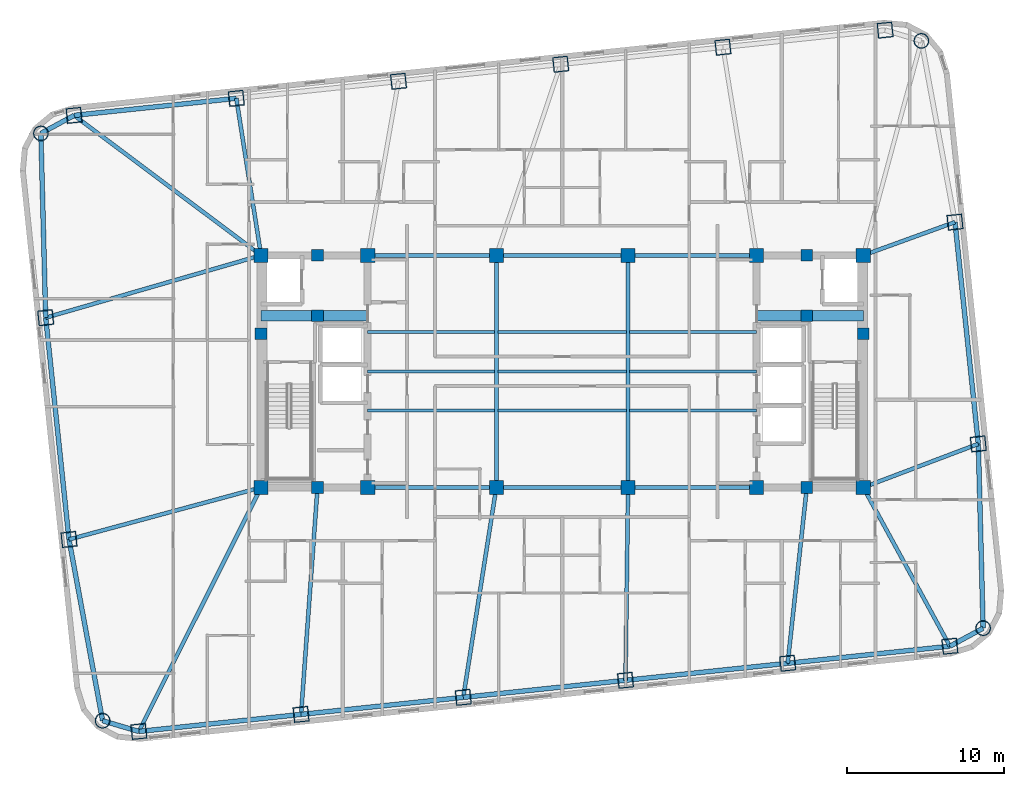
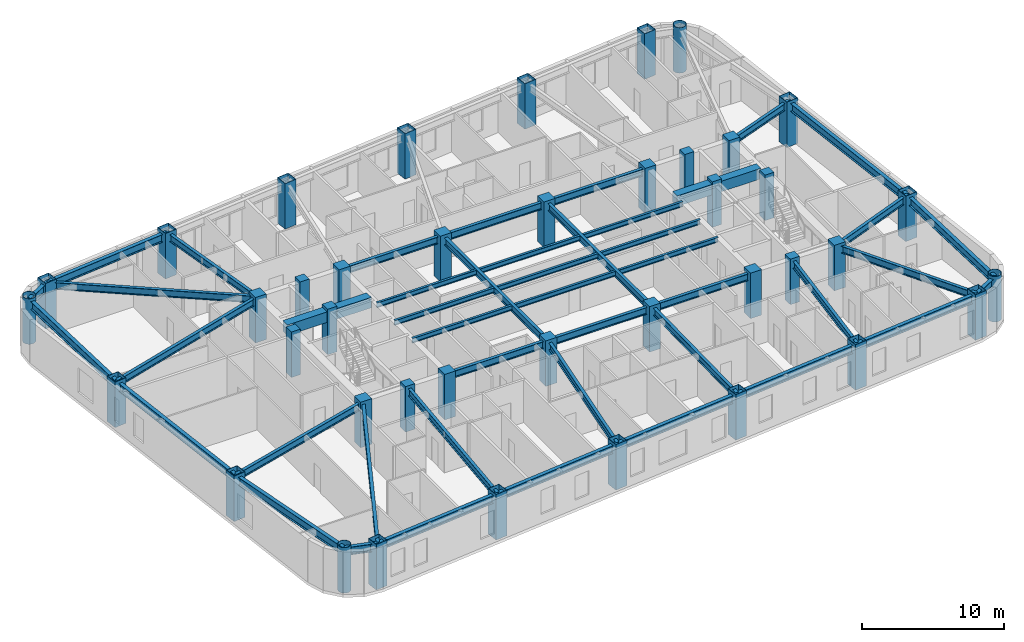
# One storey, part 1 of 11: 45 beams, 40 columns.
"""IFC4 building model written with IfcOpenShell, lengths in metres."""

import ifcopenshell
import ifcopenshell.guid

model = None  # the IFC model being written
_history = None  # IfcOwnerHistory: only IFC2X3 demands one
_inside = {}  # id of a spatial element -> (the spatial element, [elements in it])
_under = {}  # id of a project, library or spatial element -> (it, [spatial elements below it])
_declared = {}  # id of a project -> (the project, [libraries it declares])
_typed = {}  # id of a type object -> (the type object, [elements of that type])
_made_of = {}  # id of a material, layer set ... -> (it, [elements and type objects made of it])


def new_model(schema):
    """Start an empty IFC model of exactly this schema.

    Asked for "IFC4X3", IfcOpenShell would pick the latest addendum, in which some entities
    have other attributes; the version numbers below select the first issue.
    IFC2X3 requires an IfcOwnerHistory on every rooted entity: one is made here for all.
    """
    global model, _history
    if schema == "IFC4X3":
        model = ifcopenshell.file(schema_version=(4, 3, 0, 0))
    else:
        model = ifcopenshell.file(schema=schema)
    _inside.clear()
    _under.clear()
    _declared.clear()
    _typed.clear()
    _made_of.clear()
    _history = None
    if model.schema == "IFC2X3":
        org = make("IfcOrganization", Name="unknown")
        user = make(
            "IfcPersonAndOrganization",
            ThePerson=make("IfcPerson", FamilyName="unknown"),
            TheOrganization=org,
        )
        app = make(
            "IfcApplication",
            ApplicationDeveloper=org,
            Version="unknown",
            ApplicationFullName="unknown",
            ApplicationIdentifier="unknown",
        )
        _history = make(
            "IfcOwnerHistory",
            OwningUser=user,
            OwningApplication=app,
            ChangeAction="ADDED",
            CreationDate=0,
        )
    return model


def make(cls, **values):
    """One entity of the class cls with the attributes given. An attribute that is None is left unset."""
    return model.create_entity(
        cls, **{name: value for name, value in values.items() if value is not None}
    )


def rooted(cls, **values):
    """An entity with a GlobalId (a new one), such as an element, a storey or a relation."""
    return make(cls, GlobalId=ifcopenshell.guid.new(), OwnerHistory=_history, **values)


def si_unit(unit_type, name, prefix=None):
    """IfcSIUnit, for example si_unit("LENGTHUNIT", "METRE", prefix="MILLI")."""
    return make("IfcSIUnit", UnitType=unit_type, Prefix=prefix, Name=name)


def assignment(units):
    """IfcUnitAssignment: the units of a project."""
    return None if units is None else make("IfcUnitAssignment", Units=units)


def point(xyz):
    """IfcCartesianPoint."""
    return None if xyz is None else make("IfcCartesianPoint", Coordinates=xyz)


def direction(xyz):
    """IfcDirection."""
    return None if xyz is None else make("IfcDirection", DirectionRatios=xyz)


def frame(location, z_axis=None, x_axis=None):
    """IfcAxis2Placement3D, a coordinate frame: its origin and axes. An axis left out is left unset."""
    return make(
        "IfcAxis2Placement3D",
        Location=point(location),
        Axis=direction(z_axis),
        RefDirection=direction(x_axis),
    )


def frame_2d(location, x_axis=None):
    """IfcAxis2Placement2D, a coordinate frame in the plane: its origin and x axis."""
    return make(
        "IfcAxis2Placement2D", Location=point(location), RefDirection=direction(x_axis)
    )


def origin():
    """The frame at (0, 0, 0) with its axes left unset."""
    return frame((0.0, 0.0, 0.0))


def origin_2d():
    """The frame at (0, 0) in the plane with its x axis left unset."""
    return frame_2d((0.0, 0.0))


def place(relative_to, where):
    """IfcLocalPlacement: puts the frame where relative to a parent placement (None: the world)."""
    return make(
        "IfcLocalPlacement", PlacementRelTo=relative_to, RelativePlacement=where
    )


def context(
    kind, dimensions, precision=None, world=None, true_north=None, identifier=None
):
    """IfcGeometricRepresentationContext, for example the 3D "Model" context."""
    return make(
        "IfcGeometricRepresentationContext",
        ContextIdentifier=identifier,
        ContextType=kind,
        CoordinateSpaceDimension=dimensions,
        Precision=precision,
        WorldCoordinateSystem=world,
        TrueNorth=true_north,
    )


def subcontext(parent, identifier, kind, view, scale=None):
    """IfcGeometricRepresentationSubContext, for example "Body" below "Model"."""
    return make(
        "IfcGeometricRepresentationSubContext",
        ContextIdentifier=identifier,
        ContextType=kind,
        ParentContext=parent,
        TargetScale=scale,
        TargetView=view,
    )


def project(units=None, contexts=None):
    """IfcProject with its units and contexts."""
    return rooted(
        "IfcProject",
        Name="project",
        RepresentationContexts=contexts,
        UnitsInContext=assignment(units),
    )


def spatial(cls, under=None, at=None, **own):
    """A site, building, storey or space (cls), placed at a placement, below another one or the project."""
    s = rooted(cls, ObjectPlacement=at, **own)
    if under is not None:
        _under.setdefault(under.id(), (under, []))[1].append(s)
    return s


def profile(cls, at=None, kind="AREA", **sizes):
    """A parametric profile (cls). Its sizes go by their IFC names, for example OverallWidth=200.0."""
    return make(cls, ProfileType=kind, Position=at, **sizes)


def rectangle(**sizes):
    """IfcRectangleProfileDef."""
    return profile("IfcRectangleProfileDef", **sizes)


def hollow_rectangle(**sizes):
    """IfcRectangleHollowProfileDef."""
    return profile("IfcRectangleHollowProfileDef", **sizes)


def hollow_circle(**sizes):
    """IfcCircleHollowProfileDef."""
    return profile("IfcCircleHollowProfileDef", **sizes)


def i_section(**sizes):
    """IfcIShapeProfileDef."""
    return profile("IfcIShapeProfileDef", **sizes)


def extrude(swept, where, along, depth):
    """IfcExtrudedAreaSolid: the profile swept, set in the frame where, extruded along a direction by depth."""
    return make(
        "IfcExtrudedAreaSolid",
        SweptArea=swept,
        Position=where,
        ExtrudedDirection=direction(along),
        Depth=depth,
    )


def shape(context_of_items, identifier, shape_type, items):
    """IfcShapeRepresentation: the items that make up one representation, for example the "Body"."""
    return make(
        "IfcShapeRepresentation",
        ContextOfItems=context_of_items,
        RepresentationIdentifier=identifier,
        RepresentationType=shape_type,
        Items=items,
    )


def material(Name=None, Category=None):
    """IfcMaterial."""
    return make("IfcMaterial", Name=Name, Category=Category)


def material_profile(
    of_material, cross_section, Name=None, Category=None, Priority=None
):
    """IfcMaterialProfile: a cross section and its material."""
    return make(
        "IfcMaterialProfile",
        Name=Name,
        Material=of_material,
        Profile=cross_section,
        Priority=Priority,
        Category=Category,
    )


def profile_set(profiles, Name=None, composite=None):
    """IfcMaterialProfileSet."""
    return make(
        "IfcMaterialProfileSet",
        Name=Name,
        MaterialProfiles=profiles,
        CompositeProfile=composite,
    )


def made_of(thing, what):
    """Note that an element or type object is made of a material, layer set ...; save() writes the relation."""
    if what is not None:
        _made_of.setdefault(what.id(), (what, []))[1].append(thing)
    return thing


def type_object(cls, material=None, **own):
    """A type object (cls), such as IfcWallType, which elements share."""
    return made_of(rooted(cls, **own), material)


def element(
    cls,
    number,
    at=None,
    inside=None,
    cuts=None,
    type_object=None,
    material=None,
    context=None,
    identifier="Body",
    shape_type=None,
    held_by="IfcProductDefinitionShape",
    body=None,
    shapes=None,
    **own,
):
    """One element of the class cls, such as IfcWall. Its Tag is "e" and its number.

    at: its placement. inside: the storey or other place that contains it. cuts: it is an
    opening in that element (IfcRelVoidsElement). A single representation is given by context,
    identifier, shape_type and body (its items); several are given by shapes. held_by: the class
    of the entity that holds the representations. save() writes the other relations.
    """
    e = rooted(cls, Tag="e%d" % number, ObjectPlacement=at, **own)
    if body is not None:
        shapes = [shape(context, identifier, shape_type, body)]
    if shapes is not None:
        e.Representation = make(held_by, Representations=shapes)
    if inside is not None:
        _inside.setdefault(inside.id(), (inside, []))[1].append(e)
    if cuts is not None:
        rooted(
            "IfcRelVoidsElement", RelatingBuildingElement=cuts, RelatedOpeningElement=e
        )
    if type_object is not None:
        _typed.setdefault(type_object.id(), (type_object, []))[1].append(e)
    return made_of(e, material)


def aggregate(whole, parts):
    """IfcRelAggregates: a whole, such as a stair, and the parts it consists of."""
    return rooted("IfcRelAggregates", RelatingObject=whole, RelatedObjects=parts)


def save(model, path):
    """Write the relations noted so far, then the file.

    IfcRelAggregates (storeys below a building ...), IfcRelContainedInSpatialStructure (elements
    in a storey), IfcRelDefinesByType, IfcRelAssociatesMaterial and IfcRelDeclares: one each for
    every whole, place, type object, material and project.
    """
    for whole, parts in _under.values():
        aggregate(whole, parts)
    for where, things in _inside.values():
        rooted(
            "IfcRelContainedInSpatialStructure",
            RelatedElements=things,
            RelatingStructure=where,
        )
    for kind, things in _typed.values():
        rooted("IfcRelDefinesByType", RelatedObjects=things, RelatingType=kind)
    for what, things in _made_of.values():
        rooted("IfcRelAssociatesMaterial", RelatedObjects=things, RelatingMaterial=what)
    for by, libraries in _declared.values():
        rooted("IfcRelDeclares", RelatingContext=by, RelatedDefinitions=libraries)
    model.write(path)


model = new_model("IFC4")

# Units and contexts
model_context = context("Model", 3, precision=1e-05, world=origin(), true_north=direction((0.0, 1.0)))
body_context = subcontext(model_context, "Body", "Model", "MODEL_VIEW")
ifc_project = project(units=[si_unit("LENGTHUNIT", "METRE"), si_unit("AREAUNIT", "SQUARE_METRE"), si_unit("VOLUMEUNIT", "CUBIC_METRE"), si_unit("PLANEANGLEUNIT", "RADIAN"), si_unit("MASSUNIT", "GRAM", prefix="KILO")], contexts=[model_context])

# Site, building, storey
site_placement = place(None, origin())
site = spatial("IfcSite", under=ifc_project, at=site_placement, CompositionType="ELEMENT")
building_placement = place(site_placement, origin())
building = spatial("IfcBuilding", under=site, at=building_placement, Name="Voryun Gate Residences", CompositionType="ELEMENT")
storey_placement = place(building_placement, frame((0.0, 0.0, 175.5)))
storey = spatial("IfcBuildingStorey", under=building, at=storey_placement, Name="L43", CompositionType="ELEMENT", Elevation=175.5)

# Columns
ifc_material_1 = material(Name="Concrete C50/60", Category="concrete")
ifc_material_profile_1 = material_profile(ifc_material_1, rectangle(XDim=0.75, YDim=0.75, at=origin_2d()), Name="RC-750x750")
ifc_profile_set_1 = profile_set([ifc_material_profile_1], Name="Concrete C50/60")
column_type_1 = type_object("IfcColumnType", Name="COL_CORE_750", PredefinedType="COLUMN", material=ifc_profile_set_1)
for number, where, z_axis, x_axis, name in (
    (1, (-19.199951171875, 2.39990234375, 0.0), (0.0, 0.0, 1.0), (1.0, 0.0, 0.0), "L43 Core boundary column WC-MW"),
    (2, (-15.60009765625, -7.39990234375, 0.0), (0.0, 0.0, 1.0), (1.0, 0.0, 0.0), "L43 Core boundary column WC-SM"),
    (3, (-15.60009765625, 7.39990234375, 0.0), (0.0, 0.0, 1.0), (1.0, 0.0, 0.0), "L43 Core boundary column WC-NM"),
    (4, (-15.60009765625, 3.550048828125, 0.0), (0.0, 0.0, 1.0), (1.0, 0.0, 0.0), "L43 Core boundary column WC-MM"),
    (5, (15.60009765625, 3.550048828125, 0.0), (0.0, 0.0, 1.0), (1.0, 0.0, 0.0), "L43 Core boundary column EC-MM"),
    (6, (15.60009765625, -7.39990234375, 0.0), (0.0, 0.0, 1.0), (1.0, 0.0, 0.0), "L43 Core boundary column EC-SM"),
    (7, (15.60009765625, 7.39990234375, 0.0), (0.0, 0.0, 1.0), (1.0, 0.0, 0.0), "L43 Core boundary column EC-NM"),
    (8, (19.199951171875, 2.39990234375, 0.0), (0.0, 0.0, 1.0), (1.0, 0.0, 0.0), "L43 Core boundary column EC-ME"),
):
    element("IfcColumn", number, at=place(storey_placement, frame(where, z_axis=z_axis, x_axis=x_axis)), inside=storey, type_object=column_type_1, Name=name, PredefinedType="COLUMN", context=body_context, shape_type="SweptSolid", body=[
        extrude(rectangle(XDim=0.75, YDim=0.75, at=origin_2d()), origin(), (0.0, 0.0, 1.0), 3.89990234375),
    ])
ifc_material_2 = material(Name="Concrete C50/60", Category="concrete")
ifc_material_profile_2 = material_profile(ifc_material_2, rectangle(XDim=0.89990234375, YDim=0.89990234375, at=origin_2d()), Name="RC-900x900")
ifc_profile_set_2 = profile_set([ifc_material_profile_2], Name="Concrete C50/60")
column_type_2 = type_object("IfcColumnType", Name="COL_CORE_900", PredefinedType="COLUMN", material=ifc_profile_set_2)
for number, where, z_axis, x_axis, name in (
    (9, (-19.199951171875, -7.39990234375, 0.0), (0.0, 0.0, 1.0), (1.0, 0.0, 0.0), "L43 Core boundary column WC-SW"),
    (10, (-19.199951171875, 7.39990234375, 0.0), (0.0, 0.0, 1.0), (1.0, 0.0, 0.0), "L43 Core boundary column WC-NW"),
    (11, (-12.39990234375, -7.39990234375, 0.0), (0.0, 0.0, 1.0), (1.0, 0.0, 0.0), "L43 Core boundary column WC-SE"),
    (12, (-12.39990234375, 7.39990234375, 0.0), (0.0, 0.0, 1.0), (1.0, 0.0, 0.0), "L43 Core boundary column WC-NE"),
    (13, (12.39990234375, -7.39990234375, 0.0), (0.0, 0.0, 1.0), (1.0, 0.0, 0.0), "L43 Core boundary column EC-SW"),
    (14, (12.39990234375, 7.39990234375, 0.0), (0.0, 0.0, 1.0), (1.0, 0.0, 0.0), "L43 Core boundary column EC-NW"),
    (15, (19.199951171875, -7.39990234375, 0.0), (0.0, 0.0, 1.0), (1.0, 0.0, 0.0), "L43 Core boundary column EC-SE"),
    (16, (19.199951171875, 7.39990234375, 0.0), (0.0, 0.0, 1.0), (1.0, 0.0, 0.0), "L43 Core boundary column EC-NE"),
    (17, (-4.199951171875, -7.39990234375, 0.0), (0.0, 0.0, 1.0), (1.0, 0.0, 0.0), "L43 Interior spine column SP-WS"),
    (18, (-4.199951171875, 7.39990234375, 0.0), (0.0, 0.0, 1.0), (1.0, 0.0, 0.0), "L43 Interior spine column SP-WN"),
    (19, (4.199951171875, -7.39990234375, 0.0), (0.0, 0.0, 1.0), (1.0, 0.0, 0.0), "L43 Interior spine column SP-ES"),
    (20, (4.199951171875, 7.39990234375, 0.0), (0.0, 0.0, 1.0), (1.0, 0.0, 0.0), "L43 Interior spine column SP-EN"),
):
    element("IfcColumn", number, at=place(storey_placement, frame(where, z_axis=z_axis, x_axis=x_axis)), inside=storey, type_object=column_type_2, Name=name, PredefinedType="COLUMN", context=body_context, shape_type="SweptSolid", body=[
        extrude(rectangle(XDim=0.89990234375, YDim=0.89990234375, at=origin_2d()), origin(), (0.0, 0.0, 1.0), 3.89990234375),
    ])
ifc_material_3 = material(Name="Steel SM420", Category="steel")
ifc_material_profile_3 = material_profile(ifc_material_3, hollow_circle(Radius=0.47509765625, WallThickness=0.031982421875, at=origin_2d()), Name="CHS-950x32")
ifc_profile_set_3 = profile_set([ifc_material_profile_3], Name="Steel SM420")
column_type_3 = type_object("IfcColumnType", Name="COL_CRN_950", PredefinedType="COLUMN", material=ifc_profile_set_3)
for number, where, z_axis, x_axis, name in (
    (21, (26.8408203125, -16.373779296875, 0.0), (0.0, 0.0, 1.0), (0.994521895368, 0.104528463268, 0.0), "L43 Exoskeleton column CSE"),
    (22, (22.90478515625, 21.07470703125, 0.0), (0.0, 0.0, 1.0), (0.994521895368, 0.104528463268, 0.0), "L43 Exoskeleton column CNE"),
    (23, (-33.24072265625, 15.173583984375, 0.0), (0.0, 0.0, 1.0), (0.994521895368, 0.104528463268, 0.0), "L43 Exoskeleton column CNW"),
    (24, (-29.3046875, -22.27490234375, 0.0), (0.0, 0.0, 1.0), (0.994521895368, 0.104528463268, 0.0), "L43 Exoskeleton column CSW"),
):
    element("IfcColumn", number, at=place(storey_placement, frame(where, z_axis=z_axis, x_axis=x_axis)), inside=storey, type_object=column_type_3, Name=name, PredefinedType="COLUMN", context=body_context, shape_type="SweptSolid", body=[
        extrude(hollow_circle(Radius=0.47509765625, WallThickness=0.031982421875, at=origin_2d()), origin(), (0.0, 0.0, 1.0), 3.89990234375),
    ])
ifc_material_4 = material(Name="Steel SM420", Category="steel")
ifc_material_profile_4 = material_profile(ifc_material_4, hollow_rectangle(XDim=0.949951171875, YDim=0.949951171875, WallThickness=0.031982421875, at=origin_2d()), Name="BOX-950x950x32")
ifc_profile_set_4 = profile_set([ifc_material_profile_4], Name="Steel SM420")
column_type_4 = type_object("IfcColumnType", Name="COL_EXO_B3", PredefinedType="COLUMN", material=ifc_profile_set_4)
for number, where, z_axis, x_axis, name in (
    (25, (-26.9931640625, -22.95947265625, 0.0), (0.0, 0.0, 1.0), (0.994521895368, 0.104528463268, 0.0), "L43 Exoskeleton column S1"),
    (26, (-16.650146484375, -21.87255859375, 0.0), (0.0, 0.0, 1.0), (0.994521895368, 0.104528463268, 0.0), "L43 Exoskeleton column S2"),
    (27, (-6.30712890625, -20.785400390625, 0.0), (0.0, 0.0, 1.0), (0.994521895368, 0.104528463268, 0.0), "L43 Exoskeleton column S3"),
    (28, (4.035888671875, -19.6982421875, 0.0), (0.0, 0.0, 1.0), (0.994521895368, 0.104528463268, 0.0), "L43 Exoskeleton column S4"),
    (29, (14.37890625, -18.611083984375, 0.0), (0.0, 0.0, 1.0), (0.994521895368, 0.104528463268, 0.0), "L43 Exoskeleton column S5"),
    (30, (24.721923828125, -17.524169921875, 0.0), (0.0, 0.0, 1.0), (0.994521895368, 0.104528463268, 0.0), "L43 Exoskeleton column S6"),
    (31, (26.533447265625, -4.6240234375, 0.0), (0.0, 0.0, 1.0), (0.994521895368, 0.104528463268, 0.0), "L43 Exoskeleton column E1"),
    (32, (25.047119140625, 9.51806640625, 0.0), (0.0, 0.0, 1.0), (0.994521895368, 0.104528463268, 0.0), "L43 Exoskeleton column E2"),
    (33, (20.593017578125, 21.759521484375, 0.0), (0.0, 0.0, 1.0), (0.994521895368, 0.104528463268, 0.0), "L43 Exoskeleton column N1"),
    (34, (10.25, 20.67236328125, 0.0), (0.0, 0.0, 1.0), (0.994521895368, 0.104528463268, 0.0), "L43 Exoskeleton column N2"),
    (35, (-0.093017578125, 19.58544921875, 0.0), (0.0, 0.0, 1.0), (0.994521895368, 0.104528463268, 0.0), "L43 Exoskeleton column N3"),
    (36, (-10.43603515625, 18.498291015625, 0.0), (0.0, 0.0, 1.0), (0.994521895368, 0.104528463268, 0.0), "L43 Exoskeleton column N4"),
    (37, (-20.779052734375, 17.4111328125, 0.0), (0.0, 0.0, 1.0), (0.994521895368, 0.104528463268, 0.0), "L43 Exoskeleton column N5"),
    (38, (-31.1220703125, 16.323974609375, 0.0), (0.0, 0.0, 1.0), (0.994521895368, 0.104528463268, 0.0), "L43 Exoskeleton column N6"),
    (39, (-32.93359375, 3.424072265625, 0.0), (0.0, 0.0, 1.0), (0.994521895368, 0.104528463268, 0.0), "L43 Exoskeleton column W1"),
    (40, (-31.447021484375, -10.718017578125, 0.0), (0.0, 0.0, 1.0), (0.994521895368, 0.104528463268, 0.0), "L43 Exoskeleton column W2"),
):
    element("IfcColumn", number, at=place(storey_placement, frame(where, z_axis=z_axis, x_axis=x_axis)), inside=storey, type_object=column_type_4, Name=name, PredefinedType="COLUMN", context=body_context, shape_type="SweptSolid", body=[
        extrude(hollow_rectangle(XDim=0.949951171875, YDim=0.949951171875, WallThickness=0.031982421875, at=origin_2d()), origin(), (0.0, 0.0, 1.0), 3.89990234375),
    ])

# Beams
ifc_material_5 = material(Name="Concrete C60/75", Category="concrete")
ifc_material_profile_5 = material_profile(ifc_material_5, rectangle(XDim=0.64990234375, YDim=0.89990234375, at=origin_2d()), Name="RC-650x900")
ifc_profile_set_5 = profile_set([ifc_material_profile_5], Name="Concrete C60/75")
beam_type_1 = type_object("IfcBeamType", Name="BM_COUP_RC900", PredefinedType="LINTEL", material=ifc_profile_set_5)
for number, where, z_axis, x_axis, name in (
    (41, (-19.199951171875, 3.550048828125, 3.199951171875), (1.0, 0.0, 0.0), (0.0, 1.0, 0.0), "BM-L43-WC1"),
    (42, (12.39990234375, 3.550048828125, 3.199951171875), (1.0, 0.0, 0.0), (0.0, 1.0, 0.0), "BM-L43-EC1"),
):
    element("IfcBeam", number, at=place(storey_placement, frame(where, z_axis=z_axis, x_axis=x_axis)), inside=storey, type_object=beam_type_1, Name=name, PredefinedType="LINTEL", context=body_context, shape_type="SweptSolid", body=[
        extrude(rectangle(XDim=0.64990234375, YDim=0.89990234375, at=origin_2d()), origin(), (0.0, 0.0, 1.0), 6.800048828125),
    ])
ifc_material_6 = material(Name="Steel SM355", Category="steel")
ifc_material_profile_6 = material_profile(ifc_material_6, i_section(OverallWidth=0.300048828125, OverallDepth=0.679931640625, WebThickness=0.013916015625, FlangeThickness=0.02490234375, FilletRadius=0.01806640625, at=origin_2d()), Name="H-680x300x14x25")
ifc_profile_set_6 = profile_set([ifc_material_profile_6], Name="Steel SM355")
beam_type_2 = type_object("IfcBeamType", Name="BM_EXO_SPANDREL_M", PredefinedType="SPANDREL", material=ifc_profile_set_6)
for number, where, z_axis, x_axis, name in (
    (43, (-26.9931640625, -22.95947265625, 3.31005859375), (0.99452370336, 0.10451125994, 0.0), (-0.10451125994, 0.99452370336, 0.0), "BM-L43-SPAND-01"),
    (44, (-16.650146484375, -21.87255859375, 3.31005859375), (0.994521263116, 0.104534478571, 0.0), (-0.104534478571, 0.994521263116, 0.0), "BM-L43-SPAND-02"),
    (45, (-6.30712890625, -20.785400390625, 3.31005859375), (0.994521263116, 0.104534478571, 0.0), (-0.104534478571, 0.994521263116, 0.0), "BM-L43-SPAND-03"),
    (46, (4.035888671875, -19.6982421875, 3.31005859375), (0.994521263116, 0.104534478571, 0.0), (-0.104534478571, 0.994521263116, 0.0), "BM-L43-SPAND-04"),
    (47, (14.37890625, -18.611083984375, 3.31005859375), (0.99452370336, 0.10451125994, 0.0), (-0.10451125994, 0.99452370336, 0.0), "BM-L43-SPAND-05"),
):
    element("IfcBeam", number, at=place(storey_placement, frame(where, z_axis=z_axis, x_axis=x_axis)), inside=storey, type_object=beam_type_2, Name=name, PredefinedType="SPANDREL", context=body_context, shape_type="SweptSolid", body=[
        extrude(i_section(OverallWidth=0.300048828125, OverallDepth=0.679931640625, WebThickness=0.013916015625, FlangeThickness=0.02490234375, FilletRadius=0.01806640625, at=origin_2d()), origin(), (0.0, 0.0, 1.0), 10.39990234375),
    ])
beam_1_placement = place(storey_placement, frame((24.721923828125, -17.524169921875, 3.31005859375), z_axis=(0.878830382314, 0.477134319791, 0.0), x_axis=(-0.477134319791, 0.878830382314, 0.0)))
element("IfcBeam", 48, at=beam_1_placement, inside=storey, type_object=beam_type_2, Name="BM-L43-SPAND-06", PredefinedType="SPANDREL", context=body_context, shape_type="SweptSolid", body=[
    extrude(i_section(OverallWidth=0.300048828125, OverallDepth=0.679931640625, WebThickness=0.013916015625, FlangeThickness=0.02490234375, FilletRadius=0.01806640625, at=origin_2d()), origin(), (0.0, 0.0, 1.0), 2.4111328125),
])
beam_2_placement = place(storey_placement, frame((26.8408203125, -16.373779296875, 3.31005859375), z_axis=(-0.026151005195, 0.999658003983, 0.0), x_axis=(-0.999658003983, -0.026151005195, 0.0)))
element("IfcBeam", 49, at=beam_2_placement, inside=storey, type_object=beam_type_2, Name="BM-L43-SPAND-07", PredefinedType="SPANDREL", context=body_context, shape_type="SweptSolid", body=[
    extrude(i_section(OverallWidth=0.300048828125, OverallDepth=0.679931640625, WebThickness=0.013916015625, FlangeThickness=0.02490234375, FilletRadius=0.01806640625, at=origin_2d()), origin(), (0.0, 0.0, 1.0), 11.753662109375),
])
beam_3_placement = place(storey_placement, frame((26.533447265625, -4.6240234375, 3.31005859375), z_axis=(-0.104523913446, 0.994522373563, 0.0), x_axis=(-0.994522373563, -0.104523913446, 0.0)))
element("IfcBeam", 50, at=beam_3_placement, inside=storey, type_object=beam_type_2, Name="BM-L43-SPAND-08", PredefinedType="SPANDREL", context=body_context, shape_type="SweptSolid", body=[
    extrude(i_section(OverallWidth=0.300048828125, OverallDepth=0.679931640625, WebThickness=0.013916015625, FlangeThickness=0.02490234375, FilletRadius=0.01806640625, at=origin_2d()), origin(), (0.0, 0.0, 1.0), 14.219970703125),
])
beam_4_placement = place(storey_placement, frame((-20.779052734375, 17.4111328125, 3.31005859375), z_axis=(-0.994521263116, -0.104534478571, 0.0), x_axis=(0.104534478571, -0.994521263116, 0.0)))
element("IfcBeam", 51, at=beam_4_placement, inside=storey, type_object=beam_type_2, Name="BM-L43-SPAND-15", PredefinedType="SPANDREL", context=body_context, shape_type="SweptSolid", body=[
    extrude(i_section(OverallWidth=0.300048828125, OverallDepth=0.679931640625, WebThickness=0.013916015625, FlangeThickness=0.02490234375, FilletRadius=0.01806640625, at=origin_2d()), origin(), (0.0, 0.0, 1.0), 10.39990234375),
])
beam_5_placement = place(storey_placement, frame((-31.1220703125, 16.323974609375, 3.31005859375), z_axis=(-0.878807326808, -0.47717678312, 0.0), x_axis=(0.47717678312, -0.878807326808, 0.0)))
element("IfcBeam", 52, at=beam_5_placement, inside=storey, type_object=beam_type_2, Name="BM-L43-SPAND-16", PredefinedType="SPANDREL", context=body_context, shape_type="SweptSolid", body=[
    extrude(i_section(OverallWidth=0.300048828125, OverallDepth=0.679931640625, WebThickness=0.013916015625, FlangeThickness=0.02490234375, FilletRadius=0.01806640625, at=origin_2d()), origin(), (0.0, 0.0, 1.0), 2.410888671875),
])
beam_6_placement = place(storey_placement, frame((-33.24072265625, 15.173583984375, 3.31005859375), z_axis=(0.026130790716, -0.999658532588, 0.0), x_axis=(0.999658532588, 0.026130790716, 0.0)))
element("IfcBeam", 53, at=beam_6_placement, inside=storey, type_object=beam_type_2, Name="BM-L43-SPAND-17", PredefinedType="SPANDREL", context=body_context, shape_type="SweptSolid", body=[
    extrude(i_section(OverallWidth=0.300048828125, OverallDepth=0.679931640625, WebThickness=0.013916015625, FlangeThickness=0.02490234375, FilletRadius=0.01806640625, at=origin_2d()), origin(), (0.0, 0.0, 1.0), 11.75341796875),
])
beam_7_placement = place(storey_placement, frame((-32.93359375, 3.424072265625, 3.31005859375), z_axis=(0.104540894669, -0.994520588697, 0.0), x_axis=(0.994520588697, 0.104540894669, 0.0)))
element("IfcBeam", 54, at=beam_7_placement, inside=storey, type_object=beam_type_2, Name="BM-L43-SPAND-18", PredefinedType="SPANDREL", context=body_context, shape_type="SweptSolid", body=[
    extrude(i_section(OverallWidth=0.300048828125, OverallDepth=0.679931640625, WebThickness=0.013916015625, FlangeThickness=0.02490234375, FilletRadius=0.01806640625, at=origin_2d()), origin(), (0.0, 0.0, 1.0), 14.219970703125),
])
beam_8_placement = place(storey_placement, frame((-31.447021484375, -10.718017578125, 3.31005859375), z_axis=(0.182267768769, -0.983248931079, 0.0), x_axis=(0.983248931079, 0.182267768769, 0.0)))
element("IfcBeam", 55, at=beam_8_placement, inside=storey, type_object=beam_type_2, Name="BM-L43-SPAND-19", PredefinedType="SPANDREL", context=body_context, shape_type="SweptSolid", body=[
    extrude(i_section(OverallWidth=0.300048828125, OverallDepth=0.679931640625, WebThickness=0.013916015625, FlangeThickness=0.02490234375, FilletRadius=0.01806640625, at=origin_2d()), origin(), (0.0, 0.0, 1.0), 11.753662109375),
])
beam_9_placement = place(storey_placement, frame((-29.3046875, -22.27490234375, 3.31005859375), z_axis=(0.958834884093, -0.283964196768, 0.0), x_axis=(0.283964196768, 0.958834884093, 0.0)))
element("IfcBeam", 56, at=beam_9_placement, inside=storey, type_object=beam_type_2, Name="BM-L43-SPAND-20", PredefinedType="SPANDREL", context=body_context, shape_type="SweptSolid", body=[
    extrude(i_section(OverallWidth=0.300048828125, OverallDepth=0.679931640625, WebThickness=0.013916015625, FlangeThickness=0.02490234375, FilletRadius=0.01806640625, at=origin_2d()), origin(), (0.0, 0.0, 1.0), 2.41064453125),
])
ifc_material_7 = material(Name="Steel SM355", Category="steel")
ifc_material_profile_7 = material_profile(ifc_material_7, i_section(OverallWidth=0.25, OverallDepth=0.60009765625, WebThickness=0.011962890625, FlangeThickness=0.02197265625, FilletRadius=0.01806640625, at=origin_2d()), Name="H-600x250x12x22")
ifc_profile_set_7 = profile_set([ifc_material_profile_7], Name="Steel SM355")
beam_type_3 = type_object("IfcBeamType", Name="BM_GIRD_600", PredefinedType="USERDEFINED", material=ifc_profile_set_7)
beam_10_placement = place(storey_placement, frame((-12.39990234375, -7.39990234375, 3.35009765625), z_axis=(1.0, 0.0, 0.0), x_axis=(0.0, 1.0, 0.0)))
element("IfcBeam", 57, at=beam_10_placement, inside=storey, type_object=beam_type_3, Name="BM-L43-SPG1-S", ObjectType="GIRDER", PredefinedType="USERDEFINED", context=body_context, shape_type="SweptSolid", body=[
    extrude(i_section(OverallWidth=0.25, OverallDepth=0.60009765625, WebThickness=0.011962890625, FlangeThickness=0.02197265625, FilletRadius=0.01806640625, at=origin_2d()), origin(), (0.0, 0.0, 1.0), 8.199951171875),
])
beam_11_placement = place(storey_placement, frame((-4.199951171875, -7.39990234375, 3.35009765625), z_axis=(1.0, 0.0, 0.0), x_axis=(0.0, 1.0, 0.0)))
element("IfcBeam", 58, at=beam_11_placement, inside=storey, type_object=beam_type_3, Name="BM-L43-SPG2-S", ObjectType="GIRDER", PredefinedType="USERDEFINED", context=body_context, shape_type="SweptSolid", body=[
    extrude(i_section(OverallWidth=0.25, OverallDepth=0.60009765625, WebThickness=0.011962890625, FlangeThickness=0.02197265625, FilletRadius=0.01806640625, at=origin_2d()), origin(), (0.0, 0.0, 1.0), 8.39990234375),
])
for number, where, z_axis, x_axis, name in (
    (59, (4.199951171875, -7.39990234375, 3.35009765625), (1.0, 0.0, 0.0), (0.0, 1.0, 0.0), "BM-L43-SPG3-S"),
    (60, (-12.39990234375, 7.39990234375, 3.35009765625), (1.0, 0.0, 0.0), (0.0, 1.0, 0.0), "BM-L43-SPG1-N"),
):
    element("IfcBeam", number, at=place(storey_placement, frame(where, z_axis=z_axis, x_axis=x_axis)), inside=storey, type_object=beam_type_3, Name=name, ObjectType="GIRDER", PredefinedType="USERDEFINED", context=body_context, shape_type="SweptSolid", body=[
        extrude(i_section(OverallWidth=0.25, OverallDepth=0.60009765625, WebThickness=0.011962890625, FlangeThickness=0.02197265625, FilletRadius=0.01806640625, at=origin_2d()), origin(), (0.0, 0.0, 1.0), 8.199951171875),
    ])
beam_12_placement = place(storey_placement, frame((-4.199951171875, 7.39990234375, 3.35009765625), z_axis=(1.0, 0.0, 0.0), x_axis=(0.0, 1.0, 0.0)))
element("IfcBeam", 61, at=beam_12_placement, inside=storey, type_object=beam_type_3, Name="BM-L43-SPG2-N", ObjectType="GIRDER", PredefinedType="USERDEFINED", context=body_context, shape_type="SweptSolid", body=[
    extrude(i_section(OverallWidth=0.25, OverallDepth=0.60009765625, WebThickness=0.011962890625, FlangeThickness=0.02197265625, FilletRadius=0.01806640625, at=origin_2d()), origin(), (0.0, 0.0, 1.0), 8.39990234375),
])
beam_13_placement = place(storey_placement, frame((4.199951171875, 7.39990234375, 3.35009765625), z_axis=(1.0, 0.0, 0.0), x_axis=(0.0, 1.0, 0.0)))
element("IfcBeam", 62, at=beam_13_placement, inside=storey, type_object=beam_type_3, Name="BM-L43-SPG3-N", ObjectType="GIRDER", PredefinedType="USERDEFINED", context=body_context, shape_type="SweptSolid", body=[
    extrude(i_section(OverallWidth=0.25, OverallDepth=0.60009765625, WebThickness=0.011962890625, FlangeThickness=0.02197265625, FilletRadius=0.01806640625, at=origin_2d()), origin(), (0.0, 0.0, 1.0), 8.199951171875),
])
for number, where, z_axis, x_axis, name in (
    (63, (-4.199951171875, -7.39990234375, 3.35009765625), (0.0, 1.0, 0.0), (-1.0, 0.0, 0.0), "BM-L43-SPX-W"),
    (64, (4.199951171875, -7.39990234375, 3.35009765625), (0.0, 1.0, 0.0), (-1.0, 0.0, 0.0), "BM-L43-SPX-E"),
):
    element("IfcBeam", number, at=place(storey_placement, frame(where, z_axis=z_axis, x_axis=x_axis)), inside=storey, type_object=beam_type_3, Name=name, ObjectType="GIRDER", PredefinedType="USERDEFINED", context=body_context, shape_type="SweptSolid", body=[
        extrude(i_section(OverallWidth=0.25, OverallDepth=0.60009765625, WebThickness=0.011962890625, FlangeThickness=0.02197265625, FilletRadius=0.01806640625, at=origin_2d()), origin(), (0.0, 0.0, 1.0), 14.7998046875),
    ])
beam_14_placement = place(storey_placement, frame((-19.199951171875, -7.39990234375, 3.35009765625), z_axis=(-0.447830780254, -0.894118332357, 0.0), x_axis=(0.894118332357, -0.447830780254, 0.0)))
element("IfcBeam", 65, at=beam_14_placement, inside=storey, type_object=beam_type_3, Name="BM-L43-RAD-S1", ObjectType="GIRDER", PredefinedType="USERDEFINED", context=body_context, shape_type="SweptSolid", body=[
    extrude(i_section(OverallWidth=0.25, OverallDepth=0.60009765625, WebThickness=0.011962890625, FlangeThickness=0.02197265625, FilletRadius=0.01806640625, at=origin_2d()), origin(), (0.0, 0.0, 1.0), 17.402099609375),
])
beam_15_placement = place(storey_placement, frame((-15.60009765625, -7.39990234375, 3.35009765625), z_axis=(-0.072363766769, -0.99737830599, 0.0), x_axis=(0.99737830599, -0.072363766769, 0.0)))
element("IfcBeam", 66, at=beam_15_placement, inside=storey, type_object=beam_type_3, Name="BM-L43-RAD-S2", ObjectType="GIRDER", PredefinedType="USERDEFINED", context=body_context, shape_type="SweptSolid", body=[
    extrude(i_section(OverallWidth=0.25, OverallDepth=0.60009765625, WebThickness=0.011962890625, FlangeThickness=0.02197265625, FilletRadius=0.01806640625, at=origin_2d()), origin(), (0.0, 0.0, 1.0), 14.5107421875),
])
beam_16_placement = place(storey_placement, frame((-4.199951171875, -7.39990234375, 3.35009765625), z_axis=(-0.155507352157, -0.987834734875, 0.0), x_axis=(0.987834734875, -0.155507352157, 0.0)))
element("IfcBeam", 67, at=beam_16_placement, inside=storey, type_object=beam_type_3, Name="BM-L43-RAD-S3", ObjectType="GIRDER", PredefinedType="USERDEFINED", context=body_context, shape_type="SweptSolid", body=[
    extrude(i_section(OverallWidth=0.25, OverallDepth=0.60009765625, WebThickness=0.011962890625, FlangeThickness=0.02197265625, FilletRadius=0.01806640625, at=origin_2d()), origin(), (0.0, 0.0, 1.0), 13.55029296875),
])
beam_17_placement = place(storey_placement, frame((4.199951171875, -7.39990234375, 3.35009765625), z_axis=(-0.013339028327, -0.999911031204, 0.0), x_axis=(0.999911031204, -0.013339028327, 0.0)))
element("IfcBeam", 68, at=beam_17_placement, inside=storey, type_object=beam_type_3, Name="BM-L43-RAD-S4", ObjectType="GIRDER", PredefinedType="USERDEFINED", context=body_context, shape_type="SweptSolid", body=[
    extrude(i_section(OverallWidth=0.25, OverallDepth=0.60009765625, WebThickness=0.011962890625, FlangeThickness=0.02197265625, FilletRadius=0.01806640625, at=origin_2d()), origin(), (0.0, 0.0, 1.0), 12.29931640625),
])
beam_18_placement = place(storey_placement, frame((15.60009765625, -7.39990234375, 3.35009765625), z_axis=(-0.108285693252, -0.994119816037, 0.0), x_axis=(0.994119816037, -0.108285693252, 0.0)))
element("IfcBeam", 69, at=beam_18_placement, inside=storey, type_object=beam_type_3, Name="BM-L43-RAD-S5", ObjectType="GIRDER", PredefinedType="USERDEFINED", context=body_context, shape_type="SweptSolid", body=[
    extrude(i_section(OverallWidth=0.25, OverallDepth=0.60009765625, WebThickness=0.011962890625, FlangeThickness=0.02197265625, FilletRadius=0.01806640625, at=origin_2d()), origin(), (0.0, 0.0, 1.0), 11.277587890625),
])
beam_19_placement = place(storey_placement, frame((19.199951171875, -7.39990234375, 3.35009765625), z_axis=(0.478828398266, -0.877908517451, 0.0), x_axis=(0.877908517451, 0.478828398266, 0.0)))
element("IfcBeam", 70, at=beam_19_placement, inside=storey, type_object=beam_type_3, Name="BM-L43-RAD-S6", ObjectType="GIRDER", PredefinedType="USERDEFINED", context=body_context, shape_type="SweptSolid", body=[
    extrude(i_section(OverallWidth=0.25, OverallDepth=0.60009765625, WebThickness=0.011962890625, FlangeThickness=0.02197265625, FilletRadius=0.01806640625, at=origin_2d()), origin(), (0.0, 0.0, 1.0), 11.5322265625),
])
beam_20_placement = place(storey_placement, frame((19.199951171875, -7.39990234375, 3.35009765625), z_axis=(0.93524224301, 0.354008399462, 0.0), x_axis=(-0.354008399462, 0.93524224301, 0.0)))
element("IfcBeam", 71, at=beam_20_placement, inside=storey, type_object=beam_type_3, Name="BM-L43-RAD-E1", ObjectType="GIRDER", PredefinedType="USERDEFINED", context=body_context, shape_type="SweptSolid", body=[
    extrude(i_section(OverallWidth=0.25, OverallDepth=0.60009765625, WebThickness=0.011962890625, FlangeThickness=0.02197265625, FilletRadius=0.01806640625, at=origin_2d()), origin(), (0.0, 0.0, 1.0), 7.84130859375),
])
beam_21_placement = place(storey_placement, frame((19.199951171875, 7.39990234375, 3.35009765625), z_axis=(0.94020993833, 0.340595466595, 0.0), x_axis=(-0.340595466595, 0.94020993833, 0.0)))
element("IfcBeam", 72, at=beam_21_placement, inside=storey, type_object=beam_type_3, Name="BM-L43-RAD-E2", ObjectType="GIRDER", PredefinedType="USERDEFINED", context=body_context, shape_type="SweptSolid", body=[
    extrude(i_section(OverallWidth=0.25, OverallDepth=0.60009765625, WebThickness=0.011962890625, FlangeThickness=0.02197265625, FilletRadius=0.01806640625, at=origin_2d()), origin(), (0.0, 0.0, 1.0), 6.218994140625),
])
beam_22_placement = place(storey_placement, frame((-19.199951171875, 7.39990234375, 3.35009765625), z_axis=(-0.155806710133, 0.987787562727, 0.0), x_axis=(-0.987787562727, -0.155806710133, 0.0)))
element("IfcBeam", 73, at=beam_22_placement, inside=storey, type_object=beam_type_3, Name="BM-L43-RAD-N5", ObjectType="GIRDER", PredefinedType="USERDEFINED", context=body_context, shape_type="SweptSolid", body=[
    extrude(i_section(OverallWidth=0.25, OverallDepth=0.60009765625, WebThickness=0.011962890625, FlangeThickness=0.02197265625, FilletRadius=0.01806640625, at=origin_2d()), origin(), (0.0, 0.0, 1.0), 10.135009765625),
])
beam_23_placement = place(storey_placement, frame((-19.199951171875, 7.39990234375, 3.35009765625), z_axis=(-0.800564252374, 0.599246925583, 0.0), x_axis=(-0.599246925583, -0.800564252374, 0.0)))
element("IfcBeam", 74, at=beam_23_placement, inside=storey, type_object=beam_type_3, Name="BM-L43-RAD-N6", ObjectType="GIRDER", PredefinedType="USERDEFINED", context=body_context, shape_type="SweptSolid", body=[
    extrude(i_section(OverallWidth=0.25, OverallDepth=0.60009765625, WebThickness=0.011962890625, FlangeThickness=0.02197265625, FilletRadius=0.01806640625, at=origin_2d()), origin(), (0.0, 0.0, 1.0), 14.89208984375),
])
beam_24_placement = place(storey_placement, frame((-19.199951171875, 7.39990234375, 3.35009765625), z_axis=(-0.960558623239, -0.278077563498, 0.0), x_axis=(0.278077563498, -0.960558623239, 0.0)))
element("IfcBeam", 75, at=beam_24_placement, inside=storey, type_object=beam_type_3, Name="BM-L43-RAD-W1", ObjectType="GIRDER", PredefinedType="USERDEFINED", context=body_context, shape_type="SweptSolid", body=[
    extrude(i_section(OverallWidth=0.25, OverallDepth=0.60009765625, WebThickness=0.011962890625, FlangeThickness=0.02197265625, FilletRadius=0.01806640625, at=origin_2d()), origin(), (0.0, 0.0, 1.0), 14.297607421875),
])
beam_25_placement = place(storey_placement, frame((-19.199951171875, -7.39990234375, 3.35009765625), z_axis=(-0.965202497616, -0.261503611058, 0.0), x_axis=(0.261503611058, -0.965202497616, 0.0)))
element("IfcBeam", 76, at=beam_25_placement, inside=storey, type_object=beam_type_3, Name="BM-L43-RAD-W2", ObjectType="GIRDER", PredefinedType="USERDEFINED", context=body_context, shape_type="SweptSolid", body=[
    extrude(i_section(OverallWidth=0.25, OverallDepth=0.60009765625, WebThickness=0.011962890625, FlangeThickness=0.02197265625, FilletRadius=0.01806640625, at=origin_2d()), origin(), (0.0, 0.0, 1.0), 12.688720703125),
])
ifc_material_8 = material(Name="Steel SM355", Category="steel")
ifc_material_profile_8 = material_profile(ifc_material_8, i_section(OverallWidth=0.18994140625, OverallDepth=0.419921875, WebThickness=0.009033203125, FlangeThickness=0.01611328125, FilletRadius=0.01806640625, at=origin_2d()), Name="H-420x190x9x16")
ifc_profile_set_8 = profile_set([ifc_material_profile_8], Name="Steel SM355")
beam_type_4 = type_object("IfcBeamType", Name="BM_SEC_420", PredefinedType="BEAM", material=ifc_profile_set_8)
beam_26_placement = place(storey_placement, frame((-12.39990234375, -2.5, 3.43994140625), z_axis=(1.0, 0.0, 0.0), x_axis=(0.0, 1.0, 0.0)))
element("IfcBeam", 77, at=beam_26_placement, inside=storey, type_object=beam_type_4, Name="BM-L43-SEC-CS1", PredefinedType="BEAM", context=body_context, shape_type="SweptSolid", body=[
    extrude(i_section(OverallWidth=0.18994140625, OverallDepth=0.419921875, WebThickness=0.009033203125, FlangeThickness=0.01611328125, FilletRadius=0.01806640625, at=origin_2d()), origin(), (0.0, 0.0, 1.0), 8.099853515625),
])
beam_27_placement = place(storey_placement, frame((-4.10009765625, -2.5, 3.43994140625), z_axis=(1.0, 0.0, 0.0), x_axis=(0.0, 1.0, 0.0)))
element("IfcBeam", 78, at=beam_27_placement, inside=storey, type_object=beam_type_4, Name="BM-L43-SEC-CS2", PredefinedType="BEAM", context=body_context, shape_type="SweptSolid", body=[
    extrude(i_section(OverallWidth=0.18994140625, OverallDepth=0.419921875, WebThickness=0.009033203125, FlangeThickness=0.01611328125, FilletRadius=0.01806640625, at=origin_2d()), origin(), (0.0, 0.0, 1.0), 8.2001953125),
])
for number, where, z_axis, x_axis, name in (
    (79, (4.300048828125, -2.5, 3.43994140625), (1.0, 0.0, 0.0), (0.0, 1.0, 0.0), "BM-L43-SEC-CS3"),
    (80, (-12.39990234375, 0.0, 3.43994140625), (1.0, 0.0, 0.0), (0.0, 1.0, 0.0), "BM-L43-SEC-CM1"),
):
    element("IfcBeam", number, at=place(storey_placement, frame(where, z_axis=z_axis, x_axis=x_axis)), inside=storey, type_object=beam_type_4, Name=name, PredefinedType="BEAM", context=body_context, shape_type="SweptSolid", body=[
        extrude(i_section(OverallWidth=0.18994140625, OverallDepth=0.419921875, WebThickness=0.009033203125, FlangeThickness=0.01611328125, FilletRadius=0.01806640625, at=origin_2d()), origin(), (0.0, 0.0, 1.0), 8.099853515625),
    ])
beam_28_placement = place(storey_placement, frame((-4.10009765625, 0.0, 3.43994140625), z_axis=(1.0, 0.0, 0.0), x_axis=(0.0, 1.0, 0.0)))
element("IfcBeam", 81, at=beam_28_placement, inside=storey, type_object=beam_type_4, Name="BM-L43-SEC-CM2", PredefinedType="BEAM", context=body_context, shape_type="SweptSolid", body=[
    extrude(i_section(OverallWidth=0.18994140625, OverallDepth=0.419921875, WebThickness=0.009033203125, FlangeThickness=0.01611328125, FilletRadius=0.01806640625, at=origin_2d()), origin(), (0.0, 0.0, 1.0), 8.2001953125),
])
for number, where, z_axis, x_axis, name in (
    (82, (4.300048828125, 0.0, 3.43994140625), (1.0, 0.0, 0.0), (0.0, 1.0, 0.0), "BM-L43-SEC-CM3"),
    (83, (-12.39990234375, 2.5, 3.43994140625), (1.0, 0.0, 0.0), (0.0, 1.0, 0.0), "BM-L43-SEC-CN1"),
):
    element("IfcBeam", number, at=place(storey_placement, frame(where, z_axis=z_axis, x_axis=x_axis)), inside=storey, type_object=beam_type_4, Name=name, PredefinedType="BEAM", context=body_context, shape_type="SweptSolid", body=[
        extrude(i_section(OverallWidth=0.18994140625, OverallDepth=0.419921875, WebThickness=0.009033203125, FlangeThickness=0.01611328125, FilletRadius=0.01806640625, at=origin_2d()), origin(), (0.0, 0.0, 1.0), 8.099853515625),
    ])
beam_29_placement = place(storey_placement, frame((-4.10009765625, 2.5, 3.43994140625), z_axis=(1.0, 0.0, 0.0), x_axis=(0.0, 1.0, 0.0)))
element("IfcBeam", 84, at=beam_29_placement, inside=storey, type_object=beam_type_4, Name="BM-L43-SEC-CN2", PredefinedType="BEAM", context=body_context, shape_type="SweptSolid", body=[
    extrude(i_section(OverallWidth=0.18994140625, OverallDepth=0.419921875, WebThickness=0.009033203125, FlangeThickness=0.01611328125, FilletRadius=0.01806640625, at=origin_2d()), origin(), (0.0, 0.0, 1.0), 8.2001953125),
])
beam_30_placement = place(storey_placement, frame((4.300048828125, 2.5, 3.43994140625), z_axis=(1.0, 0.0, 0.0), x_axis=(0.0, 1.0, 0.0)))
element("IfcBeam", 85, at=beam_30_placement, inside=storey, type_object=beam_type_4, Name="BM-L43-SEC-CN3", PredefinedType="BEAM", context=body_context, shape_type="SweptSolid", body=[
    extrude(i_section(OverallWidth=0.18994140625, OverallDepth=0.419921875, WebThickness=0.009033203125, FlangeThickness=0.01611328125, FilletRadius=0.01806640625, at=origin_2d()), origin(), (0.0, 0.0, 1.0), 8.099853515625),
])

save(model, "model.ifc")
